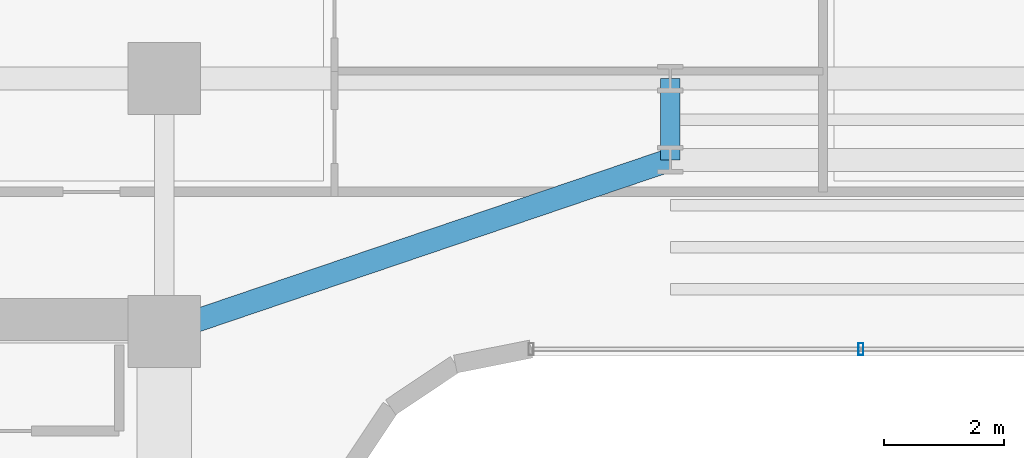
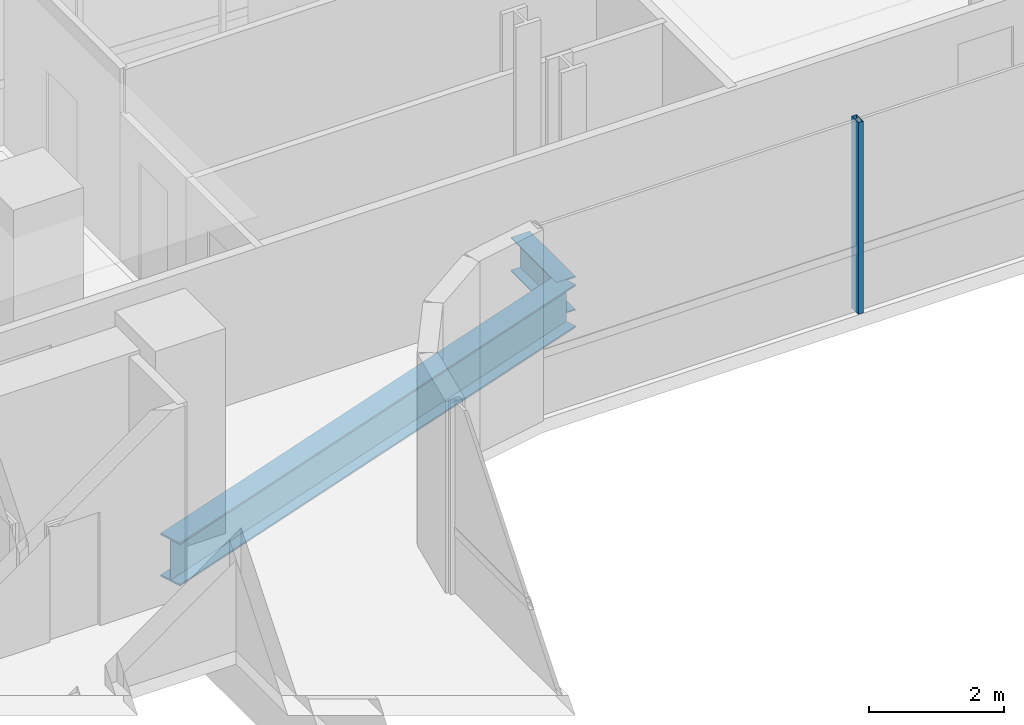
# One storey, part 10 of 35: 2 beams, 1 member, 1 element without a shape of its own.
"""IFC4 building model written with IfcOpenShell, lengths in metres."""

from ifc_helpers import new_model, si_unit, direction, frame, origin, origin_2d, place, context, subcontext, project, spatial, hollow_rectangle, i_section, extrude, source, transform, mapped, material, material_profile, profile_set, type_object, element, aggregate, save


model = new_model("IFC4")

# Units and contexts
model_context = context("Model", 3, precision=1e-05, world=origin(), true_north=direction((0.0, 1.0)))
body_context = subcontext(model_context, "Body", "Model", "MODEL_VIEW")
ifc_project = project(units=[si_unit("LENGTHUNIT", "METRE"), si_unit("AREAUNIT", "SQUARE_METRE"), si_unit("VOLUMEUNIT", "CUBIC_METRE"), si_unit("PLANEANGLEUNIT", "RADIAN"), si_unit("MASSUNIT", "GRAM", prefix="KILO")], contexts=[model_context])

# Site, building, storey
site_placement = place(None, origin())
site = spatial("IfcSite", under=ifc_project, at=site_placement, CompositionType="ELEMENT")
building_placement = place(site_placement, origin())
building = spatial("IfcBuilding", under=site, at=building_placement, Name="Valdorenza Pilgrim Sanctuary Tower", CompositionType="ELEMENT")
storey_placement = place(building_placement, frame((0.0, 0.0, 105.699951171875)))
storey = spatial("IfcBuildingStorey", under=building, at=storey_placement, Name="L26", CompositionType="ELEMENT", Elevation=105.699951171875)

# Beams
ifc_material_1 = material(Name="Steel ASTM A992 Grade 50", Category="steel")
ifc_material_profile_1 = material_profile(ifc_material_1, i_section(OverallWidth=0.323974609375, OverallDepth=0.611083984375, WebThickness=0.0126953125, FlangeThickness=0.01904296875, at=origin_2d()), Name="W24X104")
ifc_profile_set_1 = profile_set([ifc_material_profile_1], Name="Steel ASTM A992 Grade 50")
beam_type_1 = type_object("IfcBeamType", Name="STR-BM-GRD-W24B", PredefinedType="BEAM", material=ifc_profile_set_1)
shared_shape_1 = source(origin(), body_context, "Body", "SweptSolid", [
    extrude(i_section(OverallWidth=0.323974609375, OverallDepth=0.611083984375, WebThickness=0.0126953125, FlangeThickness=0.01904296875, at=origin_2d()), origin(), (0.0, 0.0, 1.0), 1.35009765625),
])
beam_1_placement = place(storey_placement, frame((-4.0, 13.449951171875, -0.54541015625), z_axis=(0.0, 1.0, 0.0), x_axis=(-1.0, 0.0, 0.0)))
element("IfcBeam", 1, at=beam_1_placement, inside=storey, type_object=beam_type_1, Name="L26 Floor Girder KNK-TIE-W", PredefinedType="BEAM", context=body_context, shape_type="MappedRepresentation", body=[
    mapped(shared_shape_1, transform((0.0, 0.0, 0.0), x_axis=(1.0, 0.0, 0.0), y_axis=(0.0, 1.0, 0.0), z_axis=(0.0, 0.0, 1.0), scale=1.0)),
])
ifc_material_profile_2 = material_profile(ifc_material_1, i_section(OverallWidth=0.382080078125, OverallDepth=0.779052734375, WebThickness=0.01806640625, FlangeThickness=0.030029296875, at=origin_2d()), Name="W30X191")
ifc_profile_set_2 = profile_set([ifc_material_profile_2], Name="Steel ASTM A992 Grade 50")
beam_type_2 = type_object("IfcBeamType", Name="STR-BM-GRD-W30", PredefinedType="BEAM", material=ifc_profile_set_2)
shared_shape_2 = source(origin(), body_context, "Body", "SweptSolid", [
    extrude(i_section(OverallWidth=0.382080078125, OverallDepth=0.779052734375, WebThickness=0.01806640625, FlangeThickness=0.030029296875, at=origin_2d()), origin(), (0.0, 0.0, 1.0), 8.8701171875),
])
beam_2_placement = place(storey_placement, frame((-12.39990234375, 10.60009765625, -0.62939453125), z_axis=(0.946982588361, 0.321284885018, 0.0), x_axis=(-0.321284885018, 0.946982588361, 0.0)))
element("IfcBeam", 2, at=beam_2_placement, inside=storey, type_object=beam_type_2, Name="L26 Floor Girder KNK-G1", PredefinedType="BEAM", context=body_context, shape_type="MappedRepresentation", body=[
    mapped(shared_shape_2, transform((0.0, 0.0, 0.0), x_axis=(1.0, 0.0, 0.0), y_axis=(0.0, 1.0, 0.0), z_axis=(0.0, 0.0, 1.0), scale=1.0)),
])

# Curtain wall, member
ifc_material_2 = material(Name="Curtain-wall IGU glazing", Category="glass")
curtain_wall_type = type_object("IfcCurtainWallType", Name="CW-SYS-02", PredefinedType="NOTDEFINED", material=ifc_material_2)
curtain_wall_placement = place(storey_placement, origin())
curtain_wall = element("IfcCurtainWall", 3, at=curtain_wall_placement, inside=storey, type_object=curtain_wall_type, Name="L26 Curtain Wall CW-L26-1-36", PredefinedType="NOTDEFINED")
ifc_material_3 = material(Name="Anodised aluminium AW-6060", Category="aluminium")
ifc_material_profile_3 = material_profile(ifc_material_3, hollow_rectangle(XDim=0.0849609375, YDim=0.199951171875, WallThickness=0.0048828125, at=origin_2d()), Name="ALU-M 200x85x5")
ifc_profile_set_3 = profile_set([ifc_material_profile_3], Name="Anodised aluminium AW-6060")
member_type = type_object("IfcMemberType", Name="CW-MUL-02", PredefinedType="MULLION", material=ifc_profile_set_3)
shared_shape_3 = source(origin(), body_context, "Body", "SweptSolid", [
    extrude(hollow_rectangle(XDim=0.0849609375, YDim=0.199951171875, WallThickness=0.0048828125, at=origin_2d()), origin(), (0.0, 0.0, 1.0), 3.4599609375),
])
member_placement = place(storey_placement, frame((-0.8369140625, 10.31005859375, 0.0), z_axis=(0.0, 0.0, 1.0), x_axis=(-1.0, 0.0, 0.0)))
member = element("IfcMember", 4, at=member_placement, type_object=member_type, Name="CW-L26-1-36 Mullion 3", PredefinedType="MULLION", context=body_context, shape_type="MappedRepresentation", body=[
    mapped(shared_shape_3, transform((0.0, 0.0, 0.0), x_axis=(1.0, 0.0, 0.0), y_axis=(0.0, 1.0, 0.0), z_axis=(0.0, 0.0, 1.0), scale=1.0)),
])
aggregate(curtain_wall, [member])

save(model, "model.ifc")
